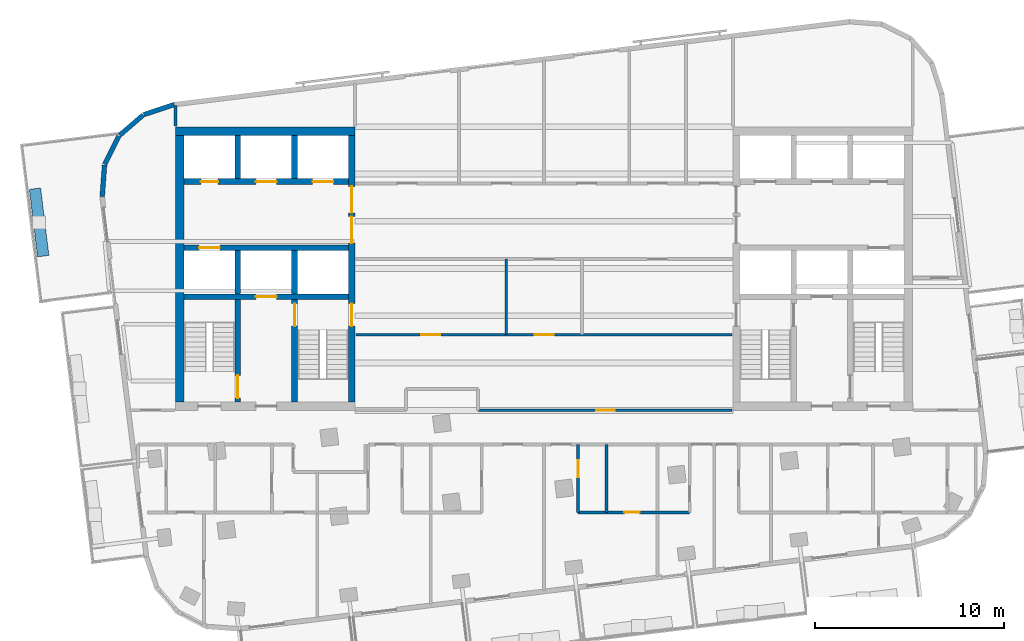
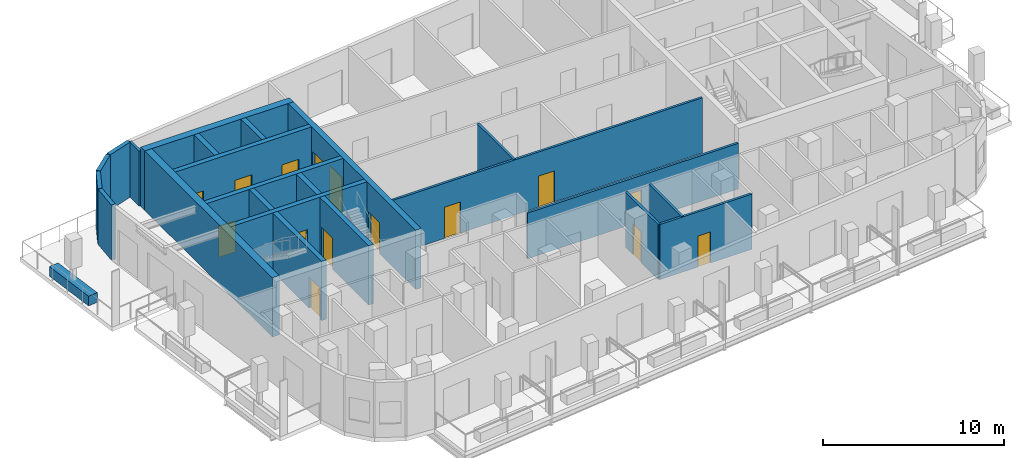
# One storey, part 4 of 11: 24 walls, 15 doors, 15 openings.
"""IFC4 building model written with IfcOpenShell, lengths in metres."""

from ifc_helpers import new_model, si_unit, direction, frame, frame_2d, origin, place, context, subcontext, project, spatial, rectangle, extrude, material, layer, layer_set, type_object, element, fill, save


model = new_model("IFC4")

# Units and contexts
model_context = context("Model", 3, precision=1e-05, world=origin(), true_north=direction((0.0, 1.0)))
body_context = subcontext(model_context, "Body", "Model", "MODEL_VIEW")
ifc_project = project(units=[si_unit("LENGTHUNIT", "METRE"), si_unit("AREAUNIT", "SQUARE_METRE"), si_unit("VOLUMEUNIT", "CUBIC_METRE"), si_unit("PLANEANGLEUNIT", "RADIAN"), si_unit("MASSUNIT", "GRAM", prefix="KILO")], contexts=[model_context])

# Site, building, storey
site_placement = place(None, origin())
site = spatial("IfcSite", under=ifc_project, at=site_placement, CompositionType="ELEMENT")
building_placement = place(site_placement, origin())
building = spatial("IfcBuilding", under=site, at=building_placement, Name="Torana Hotel and Residences", CompositionType="ELEMENT")
storey_placement = place(building_placement, frame((0.0, 0.0, 322.60009765625)))
storey = spatial("IfcBuildingStorey", under=building, at=storey_placement, Name="L85", CompositionType="ELEMENT", Elevation=322.60009765625)

# Wall, openings, doors
ifc_material_1 = material(Name="Concrete C60/75", Category="concrete")
ifc_layer_1 = layer(ifc_material_1, 0.300048828125)
ifc_layer_set_1 = layer_set([ifc_layer_1], Name="CORE WALL 300 C60/75")
wall_type_1 = type_object("IfcWallType", Name="CORE WALL 300 C60/75", PredefinedType="SHEAR", material=ifc_layer_set_1)
wall_1_placement = place(storey_placement, frame((-19.050048828125, -2.89990234375, 0.0), z_axis=(0.0, 0.0, 1.0), x_axis=(1.0, 0.0, 0.0)))
wall_1 = element("IfcWall", 1, at=wall_1_placement, inside=storey, type_object=wall_type_1, Name="Core wall W row-N", PredefinedType="SHEAR", context=body_context, shape_type="SweptSolid", body=[
    extrude(rectangle(XDim=8.699951171875, YDim=0.300048828125, at=frame_2d((4.35009765625, 0.0))), origin(), (0.0, 0.0, 1.0), 4.0),
])
opening_1_placement = place(wall_1_placement, frame((6.800048828125, 0.0, 0.0)))
opening_1 = element("IfcOpeningElement", 2, at=opening_1_placement, cuts=wall_1, Name="Opening LD", PredefinedType="OPENING", context=body_context, shape_type="SweptSolid", body=[
    extrude(rectangle(XDim=1.10009765625, YDim=2.10009765625, at=frame_2d((0.550048828125, 1.050048828125))), frame((0.0, 0.159912109375, 0.0), z_axis=(0.0, -1.0, 0.0), x_axis=(1.0, 0.0, 0.0)), (0.0, 0.0, 1.0), 0.320068359375),
])
opening_2_placement = place(wall_1_placement, frame((3.800048828125, 0.0, 0.0)))
opening_2 = element("IfcOpeningElement", 3, at=opening_2_placement, cuts=wall_1, Name="Opening LD", PredefinedType="OPENING", context=body_context, shape_type="SweptSolid", body=[
    extrude(rectangle(XDim=1.10009765625, YDim=2.10009765625, at=frame_2d((0.550048828125, 1.050048828125))), frame((0.0, 0.159912109375, 0.0), z_axis=(0.0, -1.0, 0.0), x_axis=(1.0, 0.0, 0.0)), (0.0, 0.0, 1.0), 0.320068359375),
])
opening_3_placement = place(wall_1_placement, frame((0.89990234375, 0.0, 0.0)))
opening_3 = element("IfcOpeningElement", 4, at=opening_3_placement, cuts=wall_1, Name="Opening L85-06", PredefinedType="OPENING", context=body_context, shape_type="SweptSolid", body=[
    extrude(rectangle(XDim=0.89990234375, YDim=2.10009765625, at=frame_2d((0.449951171875, 1.050048828125))), frame((0.0, 0.159912109375, 0.0), z_axis=(0.0, -1.0, 0.0), x_axis=(1.0, 0.0, 0.0)), (0.0, 0.0, 1.0), 0.320068359375),
])
ifc_material_2 = material(Name="Stainless steel 316", Category="steel")
door_type_1 = type_object("IfcDoorType", Name="LIFT LANDING DOOR LD 1100x2100", OperationType="DOUBLE_DOOR_SLIDING", PredefinedType="USERDEFINED", material=ifc_material_2)
door_1_placement = place(opening_1_placement, origin())
door_1 = element("IfcDoor", 5, at=door_1_placement, inside=storey, type_object=door_type_1, Name="Lift landing door H1 L85", ObjectType="LIFT LANDING DOOR", OperationType="DOUBLE_DOOR_SLIDING", OverallHeight=2.10009765625, OverallWidth=1.10009765625, PredefinedType="USERDEFINED", context=body_context, shape_type="SweptSolid", body=[
    extrude(rectangle(XDim=1.10009765625, YDim=2.10009765625, at=frame_2d((0.550048828125, 1.050048828125))), frame((0.0, 0.02490234375, 0.0), z_axis=(0.0, -1.0, 0.0), x_axis=(1.0, 0.0, 0.0)), (0.0, 0.0, 1.0), 0.050048828125),
])
fill(opening_1, door_1)
door_2_placement = place(opening_2_placement, origin())
door_2 = element("IfcDoor", 6, at=door_2_placement, inside=storey, type_object=door_type_1, Name="Lift landing door H2 L85", ObjectType="LIFT LANDING DOOR", OperationType="DOUBLE_DOOR_SLIDING", OverallHeight=2.10009765625, OverallWidth=1.10009765625, PredefinedType="USERDEFINED", context=body_context, shape_type="SweptSolid", body=[
    extrude(rectangle(XDim=1.10009765625, YDim=2.10009765625, at=frame_2d((0.550048828125, 1.050048828125))), frame((0.0, 0.02490234375, 0.0), z_axis=(0.0, -1.0, 0.0), x_axis=(1.0, 0.0, 0.0)), (0.0, 0.0, 1.0), 0.050048828125),
])
fill(opening_2, door_2)
ifc_material_3 = material(Name="Steel S235", Category="steel")
door_type_2 = type_object("IfcDoorType", Name="RISER ACCESS DOOR D5 900x2100", OperationType="SINGLE_SWING_LEFT", PredefinedType="DOOR", material=ifc_material_3)
door_3_placement = place(opening_3_placement, origin())
door_3 = element("IfcDoor", 7, at=door_3_placement, inside=storey, type_object=door_type_2, Name="N2 door L85", OperationType="SINGLE_SWING_RIGHT", OverallHeight=2.10009765625, OverallWidth=0.89990234375, PredefinedType="DOOR", context=body_context, shape_type="SweptSolid", body=[
    extrude(rectangle(XDim=0.89990234375, YDim=2.10009765625, at=frame_2d((0.449951171875, 1.050048828125))), frame((0.0, 0.02490234375, 0.0), z_axis=(0.0, -1.0, 0.0), x_axis=(1.0, 0.0, 0.0)), (0.0, 0.0, 1.0), 0.050048828125),
])
fill(opening_3, door_3)

# Wall, opening, door
wall_2_placement = place(storey_placement, frame((-19.050048828125, -6.39990234375, 0.0), z_axis=(0.0, 0.0, 1.0), x_axis=(1.0, 0.0, 0.0)))
wall_2 = element("IfcWall", 8, at=wall_2_placement, inside=storey, type_object=wall_type_1, Name="Core wall W row-S", PredefinedType="SHEAR", context=body_context, shape_type="SweptSolid", body=[
    extrude(rectangle(XDim=8.699951171875, YDim=0.300048828125, at=frame_2d((4.35009765625, 0.0))), origin(), (0.0, 0.0, 1.0), 4.0),
])
opening_4_placement = place(wall_2_placement, frame((0.800048828125, 0.0, 0.0)))
opening_4 = element("IfcOpeningElement", 9, at=opening_4_placement, cuts=wall_2, Name="Opening LD", PredefinedType="OPENING", context=body_context, shape_type="SweptSolid", body=[
    extrude(rectangle(XDim=1.10009765625, YDim=2.10009765625, at=frame_2d((0.550048828125, 1.050048828125))), frame((0.0, 0.159912109375, 0.0), z_axis=(0.0, -1.0, 0.0), x_axis=(1.0, 0.0, 0.0)), (0.0, 0.0, 1.0), 0.320068359375),
])
door_4_placement = place(opening_4_placement, origin())
door_4 = element("IfcDoor", 10, at=door_4_placement, inside=storey, type_object=door_type_1, Name="Lift landing door SV1 L85", ObjectType="LIFT LANDING DOOR", OperationType="DOUBLE_DOOR_SLIDING", OverallHeight=2.10009765625, OverallWidth=1.10009765625, PredefinedType="USERDEFINED", context=body_context, shape_type="SweptSolid", body=[
    extrude(rectangle(XDim=1.10009765625, YDim=2.10009765625, at=frame_2d((0.550048828125, 1.050048828125))), frame((0.0, 0.02490234375, 0.0), z_axis=(0.0, -1.0, 0.0), x_axis=(1.0, 0.0, 0.0)), (0.0, 0.0, 1.0), 0.050048828125),
])
fill(opening_4, door_4)

wall_3_placement = place(storey_placement, frame((-19.050048828125, -9.0, 0.0), z_axis=(0.0, 0.0, 1.0), x_axis=(1.0, 0.0, 0.0)))
wall_3 = element("IfcWall", 11, at=wall_3_placement, inside=storey, type_object=wall_type_1, Name="Core wall W band", PredefinedType="SHEAR", context=body_context, shape_type="SweptSolid", body=[
    extrude(rectangle(XDim=8.699951171875, YDim=0.300048828125, at=frame_2d((4.35009765625, 0.0))), origin(), (0.0, 0.0, 1.0), 4.0),
])
opening_5_placement = place(wall_3_placement, frame((3.800048828125, 0.0, 0.0)))
opening_5 = element("IfcOpeningElement", 12, at=opening_5_placement, cuts=wall_3, Name="Opening LD", PredefinedType="OPENING", context=body_context, shape_type="SweptSolid", body=[
    extrude(rectangle(XDim=1.10009765625, YDim=2.10009765625, at=frame_2d((0.550048828125, 1.050048828125))), frame((0.0, 0.159912109375, 0.0), z_axis=(0.0, -1.0, 0.0), x_axis=(1.0, 0.0, 0.0)), (0.0, 0.0, 1.0), 0.320068359375),
])
door_5_placement = place(opening_5_placement, origin())
door_5 = element("IfcDoor", 13, at=door_5_placement, inside=storey, type_object=door_type_1, Name="Lift landing door FF1 L85", ObjectType="LIFT LANDING DOOR", OperationType="DOUBLE_DOOR_SLIDING", OverallHeight=2.10009765625, OverallWidth=1.10009765625, PredefinedType="USERDEFINED", context=body_context, shape_type="SweptSolid", body=[
    extrude(rectangle(XDim=1.10009765625, YDim=2.10009765625, at=frame_2d((0.550048828125, 1.050048828125))), frame((0.0, 0.02490234375, 0.0), z_axis=(0.0, -1.0, 0.0), x_axis=(1.0, 0.0, 0.0)), (0.0, 0.0, 1.0), 0.050048828125),
])
fill(opening_5, door_5)

# Walls
for number, where, z_axis, x_axis, name in (
    (14, (-13.199951171875, -2.75, 0.0), (0.0, 0.0, 1.0), (0.0, 1.0, 0.0), "Core wall W x3.05-N"),
    (15, (-13.199951171875, -8.85009765625, 0.0), (0.0, 0.0, 1.0), (0.0, 1.0, 0.0), "Core wall W x3.05-S"),
):
    element("IfcWall", number, at=place(storey_placement, frame(where, z_axis=z_axis, x_axis=x_axis)), inside=storey, type_object=wall_type_1, Name=name, PredefinedType="SHEAR", context=body_context, shape_type="SweptSolid", body=[
        extrude(rectangle(XDim=2.300048828125, YDim=0.300048828125, at=frame_2d((1.14990234375, 0.0))), origin(), (0.0, 0.0, 1.0), 4.0),
    ])

# Wall, opening, door
wall_4_placement = place(storey_placement, frame((-13.199951171875, -14.550048828125, 0.0), z_axis=(0.0, 0.0, 1.0), x_axis=(0.0, 1.0, 0.0)))
wall_4 = element("IfcWall", 16, at=wall_4_placement, inside=storey, type_object=wall_type_1, Name="Core wall W x3.05-band", PredefinedType="SHEAR", context=body_context, shape_type="SweptSolid", body=[
    extrude(rectangle(XDim=5.400146484375, YDim=0.300048828125, at=frame_2d((2.7001953125, 0.0))), origin(), (0.0, 0.0, 1.0), 4.0),
])
opening_6_placement = place(wall_4_placement, frame((4.0, 0.0, 0.0)))
opening_6 = element("IfcOpeningElement", 17, at=opening_6_placement, cuts=wall_4, Name="Opening L85-07", PredefinedType="OPENING", context=body_context, shape_type="SweptSolid", body=[
    extrude(rectangle(XDim=1.199951171875, YDim=2.10009765625, at=frame_2d((0.60009765625, 1.050048828125))), frame((0.0, 0.159912109375, 0.0), z_axis=(0.0, -1.0, 0.0), x_axis=(1.0, 0.0, 0.0)), (0.0, 0.0, 1.0), 0.320068359375),
])
ifc_material_4 = material(Name="Steel S235", Category="steel")
door_type_3 = type_object("IfcDoorType", Name="STAIR FIRE DOOR D3 1200x2100", OperationType="SINGLE_SWING_LEFT", PredefinedType="DOOR", material=ifc_material_4)
door_6_placement = place(opening_6_placement, frame((0.60009765625, 0.0, 0.0), z_axis=(0.0, 0.0, 1.0), x_axis=(-1.0, 0.0, 0.0)))
door_6 = element("IfcDoor", 18, at=door_6_placement, inside=storey, type_object=door_type_3, Name="Stair-A-lobby door L85", OperationType="SINGLE_SWING_RIGHT", OverallHeight=2.10009765625, OverallWidth=1.199951171875, PredefinedType="DOOR", context=body_context, shape_type="SweptSolid", body=[
    extrude(rectangle(XDim=1.199951171875, YDim=2.10009765625, at=frame_2d((0.0, 1.050048828125))), frame((0.0, -0.02490234375, 0.0), z_axis=(0.0, 1.0, 0.0), x_axis=(-1.0, 0.0, 0.0)), (0.0, 0.0, 1.0), 0.050048828125),
])
fill(opening_6, door_6)

# Walls
for number, where, z_axis, x_axis, name in (
    (19, (-16.199951171875, -2.75, 0.0), (0.0, 0.0, 1.0), (0.0, 1.0, 0.0), "Core wall W x6.05-N"),
    (20, (-16.199951171875, -8.85009765625, 0.0), (0.0, 0.0, 1.0), (0.0, 1.0, 0.0), "Core wall W x6.05-S"),
):
    element("IfcWall", number, at=place(storey_placement, frame(where, z_axis=z_axis, x_axis=x_axis)), inside=storey, type_object=wall_type_1, Name=name, PredefinedType="SHEAR", context=body_context, shape_type="SweptSolid", body=[
        extrude(rectangle(XDim=2.300048828125, YDim=0.300048828125, at=frame_2d((1.14990234375, 0.0))), origin(), (0.0, 0.0, 1.0), 4.0),
    ])

# Wall, opening, door
wall_5_placement = place(storey_placement, frame((-16.199951171875, -14.550048828125, 0.0), z_axis=(0.0, 0.0, 1.0), x_axis=(0.0, 1.0, 0.0)))
wall_5 = element("IfcWall", 21, at=wall_5_placement, inside=storey, type_object=wall_type_1, Name="Core wall W x6.05-band", PredefinedType="SHEAR", context=body_context, shape_type="SweptSolid", body=[
    extrude(rectangle(XDim=5.400146484375, YDim=0.300048828125, at=frame_2d((2.7001953125, 0.0))), origin(), (0.0, 0.0, 1.0), 4.0),
])
opening_7_placement = place(wall_5_placement, frame((0.199951171875, 0.0, 0.0)))
opening_7 = element("IfcOpeningElement", 22, at=opening_7_placement, cuts=wall_5, Name="Opening L85-08", PredefinedType="OPENING", context=body_context, shape_type="SweptSolid", body=[
    extrude(rectangle(XDim=1.199951171875, YDim=2.10009765625, at=frame_2d((0.60009765625, 1.050048828125))), frame((0.0, 0.159912109375, 0.0), z_axis=(0.0, -1.0, 0.0), x_axis=(1.0, 0.0, 0.0)), (0.0, 0.0, 1.0), 0.320068359375),
])
door_7_placement = place(opening_7_placement, origin())
door_7 = element("IfcDoor", 23, at=door_7_placement, inside=storey, type_object=door_type_3, Name="Stair-B-lobby door L85", OperationType="SINGLE_SWING_RIGHT", OverallHeight=2.10009765625, OverallWidth=1.199951171875, PredefinedType="DOOR", context=body_context, shape_type="SweptSolid", body=[
    extrude(rectangle(XDim=1.199951171875, YDim=2.10009765625, at=frame_2d((0.60009765625, 1.050048828125))), frame((0.0, 0.02490234375, 0.0), z_axis=(0.0, -1.0, 0.0), x_axis=(1.0, 0.0, 0.0)), (0.0, 0.0, 1.0), 0.050048828125),
])
fill(opening_7, door_7)

# Wall, openings, doors
ifc_material_5 = material(Name="Concrete C60/75", Category="concrete")
ifc_layer_2 = layer(ifc_material_5, 0.35009765625)
ifc_layer_set_2 = layer_set([ifc_layer_2], Name="CORE WALL 350 C60/75")
wall_type_2 = type_object("IfcWallType", Name="CORE WALL 350 C60/75", PredefinedType="SHEAR", material=ifc_layer_set_2)
wall_6_placement = place(storey_placement, frame((-10.175048828125, -14.550048828125, 0.0), z_axis=(0.0, 0.0, 1.0), x_axis=(0.0, 1.0, 0.0)))
wall_6 = element("IfcWall", 24, at=wall_6_placement, inside=storey, type_object=wall_type_2, Name="Core wall W arch", PredefinedType="SHEAR", context=body_context, shape_type="SweptSolid", body=[
    extrude(rectangle(XDim=14.10009765625, YDim=0.35009765625, at=frame_2d((7.050048828125, 0.0))), origin(), (0.0, 0.0, 1.0), 4.0),
])
opening_8_placement = place(wall_6_placement, frame((8.39990234375, 0.0, 0.0)))
opening_8 = element("IfcOpeningElement", 25, at=opening_8_placement, cuts=wall_6, Name="Opening L85-01", PredefinedType="OPENING", context=body_context, shape_type="SweptSolid", body=[
    extrude(rectangle(XDim=1.39990234375, YDim=2.39990234375, at=frame_2d((0.699951171875, 1.199951171875))), frame((0.0, 0.18505859375, 0.0), z_axis=(0.0, -1.0, 0.0), x_axis=(1.0, 0.0, 0.0)), (0.0, 0.0, 1.0), 0.3701171875),
])
opening_9_placement = place(wall_6_placement, frame((10.0, 0.0, 0.0)))
opening_9 = element("IfcOpeningElement", 26, at=opening_9_placement, cuts=wall_6, Name="Opening L85-02", PredefinedType="OPENING", context=body_context, shape_type="SweptSolid", body=[
    extrude(rectangle(XDim=1.39990234375, YDim=2.39990234375, at=frame_2d((0.699951171875, 1.199951171875))), frame((0.0, 0.18505859375, 0.0), z_axis=(0.0, -1.0, 0.0), x_axis=(1.0, 0.0, 0.0)), (0.0, 0.0, 1.0), 0.3701171875),
])
opening_10_placement = place(wall_6_placement, frame((4.0, 0.0, 0.0)))
opening_10 = element("IfcOpeningElement", 27, at=opening_10_placement, cuts=wall_6, Name="Opening L85-03", PredefinedType="OPENING", context=body_context, shape_type="SweptSolid", body=[
    extrude(rectangle(XDim=1.199951171875, YDim=2.10009765625, at=frame_2d((0.60009765625, 1.050048828125))), frame((0.0, 0.18505859375, 0.0), z_axis=(0.0, -1.0, 0.0), x_axis=(1.0, 0.0, 0.0)), (0.0, 0.0, 1.0), 0.3701171875),
])
ifc_material_6 = material(Name="Steel S235", Category="steel")
door_type_4 = type_object("IfcDoorType", Name="LOBBY FIRE DOOR D4 1400x2400", OperationType="DOUBLE_DOOR_SINGLE_SWING", PredefinedType="DOOR", material=ifc_material_6)
door_8_placement = place(opening_8_placement, origin())
door_8 = element("IfcDoor", 28, at=door_8_placement, inside=storey, type_object=door_type_4, Name="Lobby-1 door L85", OperationType="DOUBLE_DOOR_SINGLE_SWING", OverallHeight=2.39990234375, OverallWidth=1.39990234375, PredefinedType="DOOR", context=body_context, shape_type="SweptSolid", body=[
    extrude(rectangle(XDim=1.39990234375, YDim=2.39990234375, at=frame_2d((0.699951171875, 1.199951171875))), frame((0.0, 0.02490234375, 0.0), z_axis=(0.0, -1.0, 0.0), x_axis=(1.0, 0.0, 0.0)), (0.0, 0.0, 1.0), 0.050048828125),
])
fill(opening_8, door_8)
door_9_placement = place(opening_9_placement, origin())
door_9 = element("IfcDoor", 29, at=door_9_placement, inside=storey, type_object=door_type_4, Name="Lobby-2 door L85", OperationType="DOUBLE_DOOR_SINGLE_SWING", OverallHeight=2.39990234375, OverallWidth=1.39990234375, PredefinedType="DOOR", context=body_context, shape_type="SweptSolid", body=[
    extrude(rectangle(XDim=1.39990234375, YDim=2.39990234375, at=frame_2d((0.699951171875, 1.199951171875))), frame((0.0, 0.02490234375, 0.0), z_axis=(0.0, -1.0, 0.0), x_axis=(1.0, 0.0, 0.0)), (0.0, 0.0, 1.0), 0.050048828125),
])
fill(opening_9, door_9)
door_10_placement = place(opening_10_placement, origin())
door_10 = element("IfcDoor", 30, at=door_10_placement, inside=storey, type_object=door_type_3, Name="Stair-A door L85", OperationType="SINGLE_SWING_LEFT", OverallHeight=2.10009765625, OverallWidth=1.199951171875, PredefinedType="DOOR", context=body_context, shape_type="SweptSolid", body=[
    extrude(rectangle(XDim=1.199951171875, YDim=2.10009765625, at=frame_2d((0.60009765625, 1.050048828125))), frame((0.0, 0.02490234375, 0.0), z_axis=(0.0, -1.0, 0.0), x_axis=(1.0, 0.0, 0.0)), (0.0, 0.0, 1.0), 0.050048828125),
])
fill(opening_10, door_10)

# Walls
ifc_material_7 = material(Name="Concrete C60/75", Category="concrete")
ifc_layer_3 = layer(ifc_material_7, 0.449951171875)
ifc_layer_set_3 = layer_set([ifc_layer_3], Name="CORE WALL 450 C60/75")
wall_type_3 = type_object("IfcWallType", Name="CORE WALL 450 C60/75", PredefinedType="SHEAR", material=ifc_layer_set_3)
wall_7_placement = place(storey_placement, frame((-19.5, -0.22509765625, 0.0), z_axis=(0.0, 0.0, 1.0), x_axis=(1.0, 0.0, 0.0)))
element("IfcWall", 31, at=wall_7_placement, inside=storey, type_object=wall_type_3, Name="Core wall W rear", PredefinedType="SHEAR", context=body_context, shape_type="SweptSolid", body=[
    extrude(rectangle(XDim=9.5, YDim=0.449951171875, at=frame_2d((4.75, 0.0))), origin(), (0.0, 0.0, 1.0), 4.0),
])
wall_8_placement = place(storey_placement, frame((-19.27490234375, -14.550048828125, 0.0), z_axis=(0.0, 0.0, 1.0), x_axis=(0.0, 1.0, 0.0)))
element("IfcWall", 32, at=wall_8_placement, inside=storey, type_object=wall_type_3, Name="Core wall W outer", PredefinedType="SHEAR", context=body_context, shape_type="SweptSolid", body=[
    extrude(rectangle(XDim=14.10009765625, YDim=0.449951171875, at=frame_2d((7.050048828125, 0.0))), origin(), (0.0, 0.0, 1.0), 4.0),
])
ifc_material_8 = material(Name="Black aluminium composite panel", Category="aluminium")
ifc_layer_4 = layer(ifc_material_8, 0.00390625, Name="Cladding", Category="cladding")
ifc_material_9 = material(Name="Ventilated air cavity")
ifc_layer_5 = layer(ifc_material_9, 0.0400390625, Name="Ventilated cavity", Category="cavity")
ifc_material_10 = material(Name="Mineral wool insulation")
ifc_layer_6 = layer(ifc_material_10, 0.090087890625, Name="Insulation", Category="insulation")
ifc_material_11 = material(Name="Steel S280GD", Category="steel")
ifc_layer_7 = layer(ifc_material_11, 0.092041015625, Name="Steel stud frame", Category="structure")
ifc_material_12 = material(Name="Fire rated plasterboard")
ifc_layer_8 = layer(ifc_material_12, 0.011962890625, Name="Inner board", Category="finish")
ifc_layer_9 = layer(ifc_material_12, 0.011962890625, Name="Second board", Category="finish")
ifc_layer_set_4 = layer_set([ifc_layer_4, ifc_layer_5, ifc_layer_6, ifc_layer_7, ifc_layer_8, ifc_layer_9], Name="EW1 EXTERNAL WALL BLACK METAL CLAD 250")
wall_type_4 = type_object("IfcWallType", Name="EW1 EXTERNAL WALL BLACK METAL CLAD 250", PredefinedType="SOLIDWALL", material=ifc_layer_set_4)
wall_9_placement = place(storey_placement, frame((-19.568359375, 1.1748046875, 0.0), z_axis=(0.0, 0.0, 1.0), x_axis=(-0.949694735798, -0.313177120489, 0.0)))
element("IfcWall", 33, at=wall_9_placement, inside=storey, type_object=wall_type_4, Name="External wall L85 e0.5", PredefinedType="SOLIDWALL", context=body_context, shape_type="SweptSolid", body=[
    extrude(rectangle(XDim=1.681396484375, YDim=0.25, at=frame_2d((0.8408203125, 0.0))), origin(), (0.0, 0.0, 1.0), 3.719970703125),
])
wall_10_placement = place(storey_placement, frame((-21.207763671875, 0.624267578125, 0.0), z_axis=(0.0, 0.0, 1.0), x_axis=(-0.757568315466, -0.652755886531, 0.0)))
element("IfcWall", 34, at=wall_10_placement, inside=storey, type_object=wall_type_4, Name="External wall L85 e0.6", PredefinedType="SOLIDWALL", context=body_context, shape_type="SweptSolid", body=[
    extrude(rectangle(XDim=1.65625, YDim=0.25, at=frame_2d((0.828125, 0.0))), origin(), (0.0, 0.0, 1.0), 3.719970703125),
])
wall_11_placement = place(storey_placement, frame((-22.49267578125, -0.495361328125, 0.0), z_axis=(0.0, 0.0, 1.0), x_axis=(-0.449982385812, -0.893037430604, 0.0)))
element("IfcWall", 35, at=wall_11_placement, inside=storey, type_object=wall_type_4, Name="External wall L85 e0.7", PredefinedType="SOLIDWALL", context=body_context, shape_type="SweptSolid", body=[
    extrude(rectangle(XDim=1.656494140625, YDim=0.25, at=frame_2d((0.828125, 0.0))), origin(), (0.0, 0.0, 1.0), 3.719970703125),
])
wall_12_placement = place(storey_placement, frame((-23.251220703125, -2.021484375, 0.0), z_axis=(0.0, 0.0, 1.0), x_axis=(-0.074053534713, -0.997254267475, 0.0)))
element("IfcWall", 36, at=wall_12_placement, inside=storey, type_object=wall_type_4, Name="External wall L85 e0.8", PredefinedType="SOLIDWALL", context=body_context, shape_type="SweptSolid", body=[
    extrude(rectangle(XDim=1.681396484375, YDim=0.25, at=frame_2d((0.8408203125, 0.0))), origin(), (0.0, 0.0, 1.0), 3.719970703125),
])
ifc_material_13 = material(Name="Gypsum plaster")
ifc_layer_10 = layer(ifc_material_13, 0.014892578125, Name="Plaster", Category="finish")
ifc_material_14 = material(Name="Concrete blockwork", Category="masonry")
ifc_layer_11 = layer(ifc_material_14, 0.1201171875, Name="Blockwork", Category="structure")
ifc_layer_12 = layer(ifc_material_13, 0.014892578125, Name="Plaster", Category="finish")
ifc_layer_set_5 = layer_set([ifc_layer_10, ifc_layer_11, ifc_layer_12], Name="FIRE PARTITION 150 BLOCKWORK")
wall_type_5 = type_object("IfcWallType", Name="FIRE PARTITION 150 BLOCKWORK", PredefinedType="PARTITIONING", material=ifc_layer_set_5)
wall_13_placement = place(storey_placement, frame((-2.0, -11.0, 0.0), z_axis=(0.0, 0.0, 1.0), x_axis=(0.0, 1.0, 0.0)))
element("IfcWall", 37, at=wall_13_placement, inside=storey, type_object=wall_type_5, Name="Partition L85", PredefinedType="PARTITIONING", context=body_context, shape_type="SweptSolid", body=[
    extrude(rectangle(XDim=4.0, YDim=0.14990234375, at=frame_2d((2.0, 0.0))), origin(), (0.0, 0.0, 1.0), 3.719970703125),
])

# Wall, opening, door
wall_14_placement = place(storey_placement, frame((-3.506103515625, -15.0, 0.0), z_axis=(0.0, 0.0, 1.0), x_axis=(1.0, 0.0, 0.0)))
wall_14 = element("IfcWall", 38, at=wall_14_placement, inside=storey, type_object=wall_type_5, Name="Partition L85", PredefinedType="PARTITIONING", context=body_context, shape_type="SweptSolid", body=[
    extrude(rectangle(XDim=13.4560546875, YDim=0.14990234375, at=frame_2d((6.72802734375, 0.0))), origin(), (0.0, 0.0, 1.0), 3.083984375),
])
opening_11_placement = place(wall_14_placement, frame((6.2529296875, 0.0, 0.0)))
opening_11 = element("IfcOpeningElement", 39, at=opening_11_placement, cuts=wall_14, Name="Opening L85-17", PredefinedType="OPENING", context=body_context, shape_type="SweptSolid", body=[
    extrude(rectangle(XDim=1.0, YDim=2.10009765625, at=frame_2d((0.5, 1.050048828125))), frame((0.0, 0.0849609375, 0.0), z_axis=(0.0, -1.0, 0.0), x_axis=(1.0, 0.0, 0.0)), (0.0, 0.0, 1.0), 0.169921875),
])
ifc_material_15 = material(Name="Steel S235", Category="steel")
door_type_5 = type_object("IfcDoorType", Name="ENTRY FIRE DOOR D6 1000x2100", OperationType="SINGLE_SWING_LEFT", PredefinedType="DOOR", material=ifc_material_15)
door_11_placement = place(opening_11_placement, origin())
door_11 = element("IfcDoor", 40, at=door_11_placement, inside=storey, type_object=door_type_5, Name="Door L85", OperationType="SINGLE_SWING_RIGHT", OverallHeight=2.10009765625, OverallWidth=1.0, PredefinedType="DOOR", context=body_context, shape_type="SweptSolid", body=[
    extrude(rectangle(XDim=1.0, YDim=2.10009765625, at=frame_2d((0.5, 1.050048828125))), frame((0.0, 0.02490234375, 0.0), z_axis=(0.0, -1.0, 0.0), x_axis=(1.0, 0.0, 0.0)), (0.0, 0.0, 1.0), 0.050048828125),
])
fill(opening_11, door_11)

# Wall, openings, doors
wall_15_placement = place(storey_placement, frame((-9.949951171875, -11.0, 0.0), z_axis=(0.0, 0.0, 1.0), x_axis=(1.0, 0.0, 0.0)))
wall_15 = element("IfcWall", 41, at=wall_15_placement, inside=storey, type_object=wall_type_5, Name="Partition L85", PredefinedType="PARTITIONING", context=body_context, shape_type="SweptSolid", body=[
    extrude(rectangle(XDim=19.89990234375, YDim=0.14990234375, at=frame_2d((9.949951171875, 0.0))), origin(), (0.0, 0.0, 1.0), 3.719970703125),
])
opening_12_placement = place(wall_15_placement, frame((9.449951171875, 0.0, 0.0)))
opening_12 = element("IfcOpeningElement", 42, at=opening_12_placement, cuts=wall_15, Name="Opening L85-27", PredefinedType="OPENING", context=body_context, shape_type="SweptSolid", body=[
    extrude(rectangle(XDim=1.0, YDim=2.10009765625, at=frame_2d((0.5, 1.050048828125))), frame((0.0, 0.0849609375, 0.0), z_axis=(0.0, -1.0, 0.0), x_axis=(1.0, 0.0, 0.0)), (0.0, 0.0, 1.0), 0.169921875),
])
opening_13_placement = place(wall_15_placement, frame((3.449951171875, 0.0, 0.0)))
opening_13 = element("IfcOpeningElement", 43, at=opening_13_placement, cuts=wall_15, Name="Opening L85-28", PredefinedType="OPENING", context=body_context, shape_type="SweptSolid", body=[
    extrude(rectangle(XDim=1.0, YDim=2.10009765625, at=frame_2d((0.5, 1.050048828125))), frame((0.0, 0.0849609375, 0.0), z_axis=(0.0, -1.0, 0.0), x_axis=(1.0, 0.0, 0.0)), (0.0, 0.0, 1.0), 0.169921875),
])
door_12_placement = place(opening_12_placement, origin())
door_12 = element("IfcDoor", 44, at=door_12_placement, inside=storey, type_object=door_type_5, Name="Door L85", OperationType="SINGLE_SWING_RIGHT", OverallHeight=2.10009765625, OverallWidth=1.0, PredefinedType="DOOR", context=body_context, shape_type="SweptSolid", body=[
    extrude(rectangle(XDim=1.0, YDim=2.10009765625, at=frame_2d((0.5, 1.050048828125))), frame((0.0, 0.02490234375, 0.0), z_axis=(0.0, -1.0, 0.0), x_axis=(1.0, 0.0, 0.0)), (0.0, 0.0, 1.0), 0.050048828125),
])
fill(opening_12, door_12)
door_13_placement = place(opening_13_placement, origin())
door_13 = element("IfcDoor", 45, at=door_13_placement, inside=storey, type_object=door_type_5, Name="Door L85", OperationType="SINGLE_SWING_RIGHT", OverallHeight=2.10009765625, OverallWidth=1.0, PredefinedType="DOOR", context=body_context, shape_type="SweptSolid", body=[
    extrude(rectangle(XDim=1.0, YDim=2.10009765625, at=frame_2d((0.5, 1.050048828125))), frame((0.0, 0.02490234375, 0.0), z_axis=(0.0, -1.0, 0.0), x_axis=(1.0, 0.0, 0.0)), (0.0, 0.0, 1.0), 0.050048828125),
])
fill(opening_13, door_13)

# Wall
ifc_material_16 = material(Name="Gypsum plasterboard")
ifc_layer_13 = layer(ifc_material_16, 0.012451171875, Name="Plasterboard", Category="finish")
ifc_layer_14 = layer(ifc_material_16, 0.012451171875, Name="Plasterboard", Category="finish")
ifc_layer_15 = layer(ifc_material_11, 0.10009765625, Name="Steel studs with mineral wool", Category="insulation")
ifc_layer_16 = layer(ifc_material_16, 0.012451171875, Name="Plasterboard", Category="finish")
ifc_layer_17 = layer(ifc_material_16, 0.012451171875, Name="Plasterboard", Category="finish")
ifc_layer_set_6 = layer_set([ifc_layer_13, ifc_layer_14, ifc_layer_15, ifc_layer_16, ifc_layer_17], Name="PARTITION 150 PLASTERBOARD")
wall_type_6 = type_object("IfcWallType", Name="PARTITION 150 PLASTERBOARD", PredefinedType="PARTITIONING", material=ifc_layer_set_6)
wall_16_placement = place(storey_placement, frame((3.300048828125, -20.39990234375, 0.0), z_axis=(0.0, 0.0, 1.0), x_axis=(0.0, 1.0, 0.0)))
element("IfcWall", 46, at=wall_16_placement, inside=storey, type_object=wall_type_6, Name="Partition L85", PredefinedType="PARTITIONING", context=body_context, shape_type="SweptSolid", body=[
    extrude(rectangle(XDim=3.599853515625, YDim=0.14990234375, at=frame_2d((1.7998046875, 0.0))), origin(), (0.0, 0.0, 1.0), 3.719970703125),
])

# Wall, opening, door
wall_17_placement = place(storey_placement, frame((1.800048828125, -20.39990234375, 0.0), z_axis=(0.0, 0.0, 1.0), x_axis=(0.0, 1.0, 0.0)))
wall_17 = element("IfcWall", 47, at=wall_17_placement, inside=storey, type_object=wall_type_6, Name="Partition L85", PredefinedType="PARTITIONING", context=body_context, shape_type="SweptSolid", body=[
    extrude(rectangle(XDim=3.599853515625, YDim=0.14990234375, at=frame_2d((1.7998046875, 0.0))), origin(), (0.0, 0.0, 1.0), 3.719970703125),
])
opening_14_placement = place(wall_17_placement, frame((1.866455078125, 0.0, 0.0)))
opening_14 = element("IfcOpeningElement", 48, at=opening_14_placement, cuts=wall_17, Name="Opening L85-39", PredefinedType="OPENING", context=body_context, shape_type="SweptSolid", body=[
    extrude(rectangle(XDim=0.89990234375, YDim=2.10009765625, at=frame_2d((0.449951171875, 1.050048828125))), frame((0.0, 0.0849609375, 0.0), z_axis=(0.0, -1.0, 0.0), x_axis=(1.0, 0.0, 0.0)), (0.0, 0.0, 1.0), 0.169921875),
])
ifc_material_17 = material(Name="Timber door, oiled ash", Category="wood")
door_type_6 = type_object("IfcDoorType", Name="ROOM DOOR D7 900x2100", OperationType="SINGLE_SWING_LEFT", PredefinedType="DOOR", material=ifc_material_17)
door_14_placement = place(opening_14_placement, origin())
door_14 = element("IfcDoor", 49, at=door_14_placement, inside=storey, type_object=door_type_6, Name="Door L85", OperationType="SINGLE_SWING_RIGHT", OverallHeight=2.10009765625, OverallWidth=0.89990234375, PredefinedType="DOOR", context=body_context, shape_type="SweptSolid", body=[
    extrude(rectangle(XDim=0.89990234375, YDim=2.10009765625, at=frame_2d((0.449951171875, 1.050048828125))), frame((0.0, 0.02490234375, 0.0), z_axis=(0.0, -1.0, 0.0), x_axis=(1.0, 0.0, 0.0)), (0.0, 0.0, 1.0), 0.050048828125),
])
fill(opening_14, door_14)

# Wall
wall_18_placement = place(storey_placement, frame((-19.5, 0.050048828125, 0.0), z_axis=(0.0, 0.0, 1.0), x_axis=(0.0, 1.0, 0.0)))
element("IfcWall", 50, at=wall_18_placement, inside=storey, type_object=wall_type_6, Name="Partition L85", PredefinedType="PARTITIONING", context=body_context, shape_type="SweptSolid", body=[
    extrude(rectangle(XDim=1.080322265625, YDim=0.14990234375, at=frame_2d((0.5400390625, 0.0))), origin(), (0.0, 0.0, 1.0), 3.719970703125),
])

# Wall, opening, door
wall_19_placement = place(storey_placement, frame((1.800048828125, -20.39990234375, 0.0), z_axis=(0.0, 0.0, 1.0), x_axis=(1.0, 0.0, 0.0)))
wall_19 = element("IfcWall", 51, at=wall_19_placement, inside=storey, type_object=wall_type_6, Name="Partition L85", PredefinedType="PARTITIONING", context=body_context, shape_type="SweptSolid", body=[
    extrude(rectangle(XDim=5.89990234375, YDim=0.14990234375, at=frame_2d((2.949951171875, 0.0))), origin(), (0.0, 0.0, 1.0), 3.719970703125),
])
opening_15_placement = place(wall_19_placement, frame((2.449951171875, 0.0, 0.0)))
opening_15 = element("IfcOpeningElement", 52, at=opening_15_placement, cuts=wall_19, Name="Opening L85-40", PredefinedType="OPENING", context=body_context, shape_type="SweptSolid", body=[
    extrude(rectangle(XDim=0.800048828125, YDim=2.10009765625, at=frame_2d((0.39990234375, 1.050048828125))), frame((0.0, 0.0849609375, 0.0), z_axis=(0.0, -1.0, 0.0), x_axis=(1.0, 0.0, 0.0)), (0.0, 0.0, 1.0), 0.169921875),
])
ifc_material_18 = material(Name="Timber door, painted", Category="wood")
door_type_7 = type_object("IfcDoorType", Name="BATH DOOR D13 800x2100", OperationType="SINGLE_SWING_LEFT", PredefinedType="DOOR", material=ifc_material_18)
door_15_placement = place(opening_15_placement, origin())
door_15 = element("IfcDoor", 53, at=door_15_placement, inside=storey, type_object=door_type_7, Name="Door L85", OperationType="SINGLE_SWING_RIGHT", OverallHeight=2.10009765625, OverallWidth=0.800048828125, PredefinedType="DOOR", context=body_context, shape_type="SweptSolid", body=[
    extrude(rectangle(XDim=0.800048828125, YDim=2.10009765625, at=frame_2d((0.39990234375, 1.050048828125))), frame((0.0, 0.02490234375, 0.0), z_axis=(0.0, -1.0, 0.0), x_axis=(1.0, 0.0, 0.0)), (0.0, 0.0, 1.0), 0.050048828125),
])
fill(opening_15, door_15)

# Wall
ifc_material_19 = material(Name="Concrete C40/50 precast", Category="concrete")
ifc_layer_18 = layer(ifc_material_19, 0.10009765625, Name="Planter shell", Category="structure")
ifc_material_20 = material(Name="Root resistant membrane")
ifc_layer_19 = layer(ifc_material_20, 0.00390625, Name="Waterproofing membrane", Category="membrane")
ifc_material_21 = material(Name="Drainage board with filter fleece")
ifc_layer_20 = layer(ifc_material_21, 0.02001953125, Name="Drainage board", Category="drainage")
ifc_material_22 = material(Name="Growing medium")
ifc_layer_21 = layer(ifc_material_22, 0.47607421875, Name="Planting substrate", Category="soil")
ifc_layer_set_7 = layer_set([ifc_layer_18, ifc_layer_19, ifc_layer_20, ifc_layer_21], Name="PL1 BALCONY PLANTER 600")
wall_type_7 = type_object("IfcWallType", Name="PL1 BALCONY PLANTER 600", PredefinedType="USERDEFINED", material=ifc_layer_set_7)
wall_20_placement = place(storey_placement, frame((-26.492919921875, -6.8447265625, 0.0), z_axis=(0.0, 0.0, 1.0), x_axis=(-0.121872547154, 0.992545758265, 0.0)))
element("IfcWall", 54, at=wall_20_placement, inside=storey, type_object=wall_type_7, Name="Planter 09", ObjectType="PLANTER", PredefinedType="USERDEFINED", context=body_context, shape_type="SweptSolid", body=[
    extrude(rectangle(XDim=3.599853515625, YDim=0.60009765625, at=frame_2d((1.7998046875, 0.0))), origin(), (0.0, 0.0, 1.0), 0.64990234375),
])

save(model, "model.ifc")
